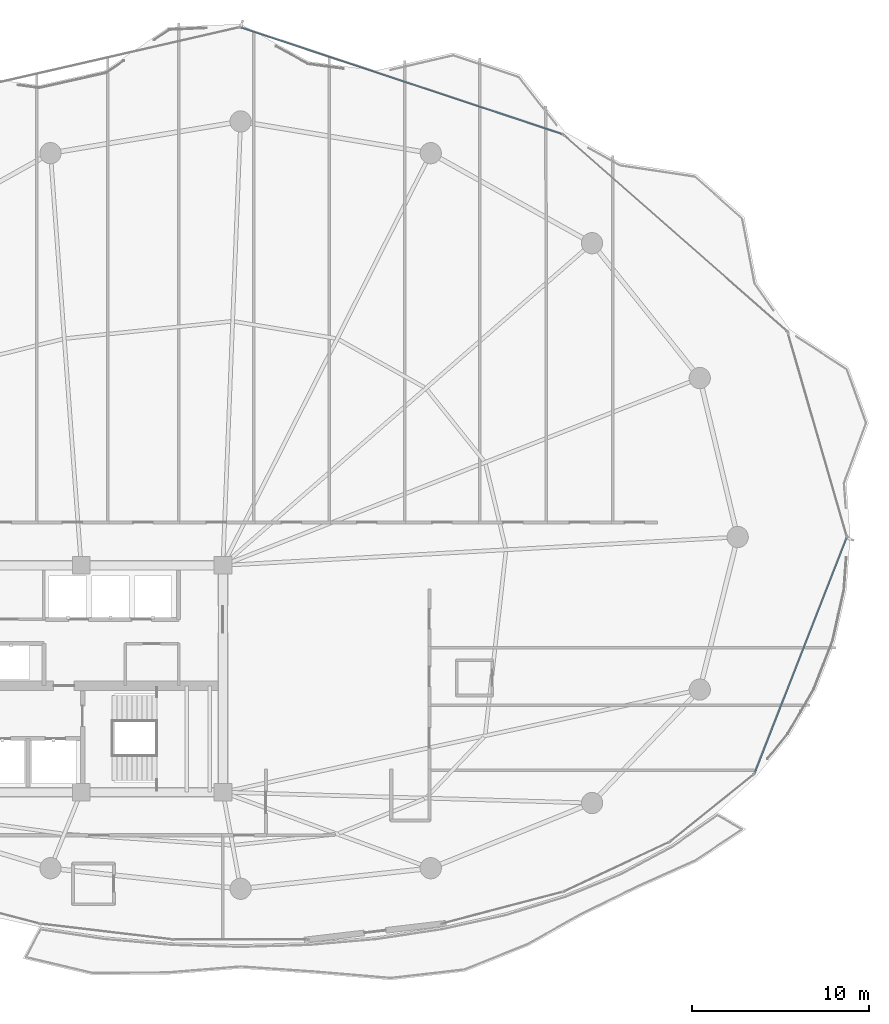
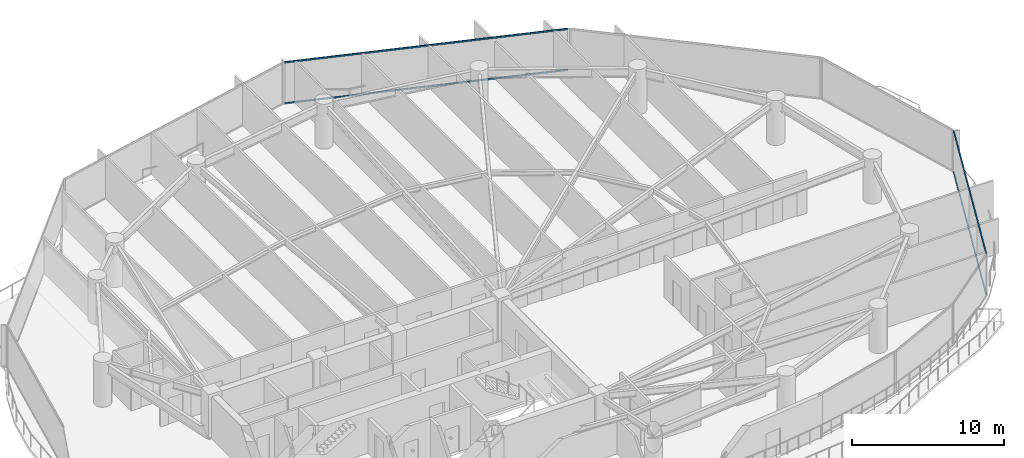
# One storey, part 23 of 34: 4 members, 2 elements without a shape of their own.
"""IFC4 building model written with IfcOpenShell, lengths in metres."""

from ifc_helpers import new_model, si_unit, direction, frame, origin, origin_2d, place, context, subcontext, project, spatial, hollow_rectangle, extrude, material, layer, layer_set, material_profile, profile_set, type_object, element, aggregate, save


model = new_model("IFC4")

# Units and contexts
model_context = context("Model", 3, precision=1e-05, world=origin(), true_north=direction((0.0, 1.0)))
body_context = subcontext(model_context, "Body", "Model", "MODEL_VIEW")
ifc_project = project(units=[si_unit("LENGTHUNIT", "METRE"), si_unit("AREAUNIT", "SQUARE_METRE"), si_unit("VOLUMEUNIT", "CUBIC_METRE"), si_unit("PLANEANGLEUNIT", "RADIAN"), si_unit("MASSUNIT", "GRAM", prefix="KILO")], contexts=[model_context])

# Site, building, storey
site_placement = place(None, origin())
site = spatial("IfcSite", under=ifc_project, at=site_placement, CompositionType="ELEMENT")
building_placement = place(site_placement, origin())
building = spatial("IfcBuilding", under=site, at=building_placement, Name="Kazevale Care Tower and Concert Hall", CompositionType="ELEMENT")
storey_placement = place(building_placement, frame((0.0, 0.0, 167.39990234375)))
storey = spatial("IfcBuildingStorey", under=building, at=storey_placement, Name="L44", CompositionType="ELEMENT", Elevation=167.39990234375)

# Curtain wall, members
ifc_material_1 = material(Name="Aluminium 6063-T6 and Low-E Glass", Category="aluminium")
ifc_layer_1 = layer(ifc_material_1, 0.179931640625)
ifc_layer_set_1 = layer_set([ifc_layer_1], Name="Aluminium 6063-T6 and Low-E Glass")
curtain_wall_type_1 = type_object("IfcCurtainWallType", Name="Convex Checkerboard Finned Curtain Wall CW-2", PredefinedType="NOTDEFINED", material=ifc_layer_set_1)
curtain_wall_1_placement = place(storey_placement, origin())
curtain_wall_1 = element("IfcCurtainWall", 1, at=curtain_wall_1_placement, inside=storey, type_object=curtain_wall_type_1, Name="cw:L44:f16", PredefinedType="NOTDEFINED")
ifc_material_2 = material(Name="Aluminium 6063-T6", Category="aluminium")
ifc_material_profile_1 = material_profile(ifc_material_2, hollow_rectangle(XDim=0.074951171875, YDim=0.1201171875, WallThickness=0.00390625, at=origin_2d()), Name="ALU75x120x4")
ifc_profile_set_1 = profile_set([ifc_material_profile_1], Name="Aluminium 6063-T6")
member_type_1 = type_object("IfcMemberType", Name="CW-2 Transom ALU75x120x4", PredefinedType="USERDEFINED", material=ifc_profile_set_1)
member_1_placement = place(storey_placement, frame((45.033935546875, 66.742919921875, 0.03759765625), z_axis=(0.949132363683, -0.314877366938, 0.0), x_axis=(0.314877366938, 0.949132363683, 0.0)))
member_1 = element("IfcMember", 2, at=member_1_placement, type_object=member_type_1, Name="CW-2 transom 1.1", ObjectType="TRANSOM", PredefinedType="USERDEFINED", context=body_context, shape_type="SweptSolid", body=[
    extrude(hollow_rectangle(XDim=0.074951171875, YDim=0.1201171875, WallThickness=0.00390625, at=origin_2d()), origin(), (0.0, 0.0, 1.0), 19.041748046875),
])
member_2_placement = place(storey_placement, frame((45.033935546875, 66.742919921875, 3.322509765625), z_axis=(0.949132363683, -0.314877366938, 0.0), x_axis=(0.314877366938, 0.949132363683, 0.0)))
member_2 = element("IfcMember", 3, at=member_2_placement, type_object=member_type_1, Name="CW-2 transom 1.2", ObjectType="TRANSOM", PredefinedType="USERDEFINED", context=body_context, shape_type="SweptSolid", body=[
    extrude(hollow_rectangle(XDim=0.074951171875, YDim=0.1201171875, WallThickness=0.00390625, at=origin_2d()), origin(), (0.0, 0.0, 1.0), 19.041748046875),
])
aggregate(curtain_wall_1, [member_1, member_2])

ifc_layer_2 = layer(ifc_material_1, 0.179931640625)
ifc_layer_set_2 = layer_set([ifc_layer_2], Name="Aluminium 6063-T6 and Low-E Glass")
curtain_wall_type_2 = type_object("IfcCurtainWallType", Name="Waist & Upper Residential Curtain Wall CW-4", PredefinedType="NOTDEFINED", material=ifc_layer_set_2)
curtain_wall_2_placement = place(storey_placement, origin())
curtain_wall_2 = element("IfcCurtainWall", 4, at=curtain_wall_2_placement, inside=storey, type_object=curtain_wall_type_2, Name="cw:L44:f01", PredefinedType="NOTDEFINED")
ifc_material_profile_2 = material_profile(ifc_material_2, hollow_rectangle(XDim=0.080078125, YDim=0.139892578125, WallThickness=0.00390625, at=origin_2d()), Name="ALU80x140x4")
ifc_profile_set_2 = profile_set([ifc_material_profile_2], Name="Aluminium 6063-T6")
member_type_2 = type_object("IfcMemberType", Name="CW-4 Transom ALU80x140x4", PredefinedType="USERDEFINED", material=ifc_profile_set_2)
member_3_placement = place(storey_placement, frame((79.19091796875, 37.925537109375, 0.0400390625), z_axis=(-0.364119027629, -0.931352421868, 0.0), x_axis=(0.931352421868, -0.364119027629, 0.0)))
member_3 = element("IfcMember", 5, at=member_3_placement, type_object=member_type_2, Name="CW-4 transom 1.1", ObjectType="TRANSOM", PredefinedType="USERDEFINED", context=body_context, shape_type="SweptSolid", body=[
    extrude(hollow_rectangle(XDim=0.080078125, YDim=0.139892578125, WallThickness=0.00390625, at=origin_2d()), origin(), (0.0, 0.0, 1.0), 14.18701171875),
])
member_4_placement = place(storey_placement, frame((79.19091796875, 37.925537109375, 3.320068359375), z_axis=(-0.364119027629, -0.931352421868, 0.0), x_axis=(0.931352421868, -0.364119027629, 0.0)))
member_4 = element("IfcMember", 6, at=member_4_placement, type_object=member_type_2, Name="CW-4 transom 1.2", ObjectType="TRANSOM", PredefinedType="USERDEFINED", context=body_context, shape_type="SweptSolid", body=[
    extrude(hollow_rectangle(XDim=0.080078125, YDim=0.139892578125, WallThickness=0.00390625, at=origin_2d()), origin(), (0.0, 0.0, 1.0), 14.18701171875),
])
aggregate(curtain_wall_2, [member_3, member_4])

save(model, "model.ifc")
